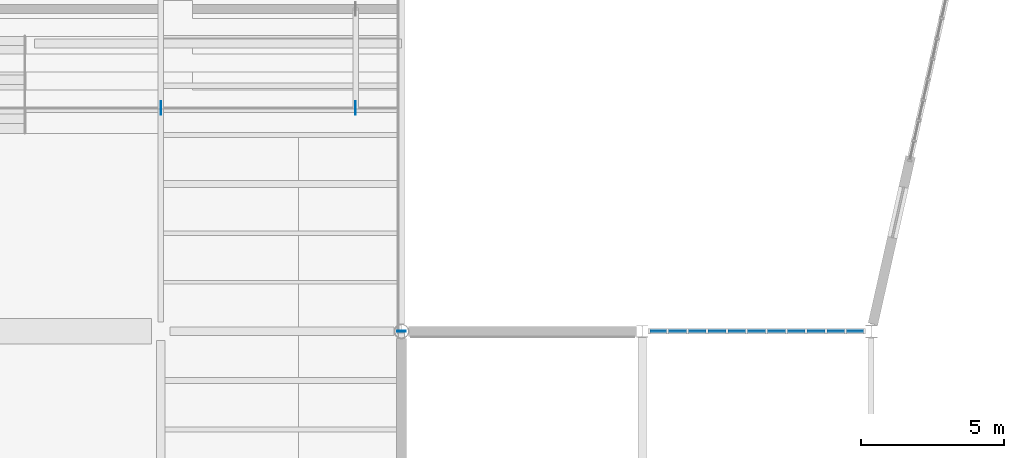
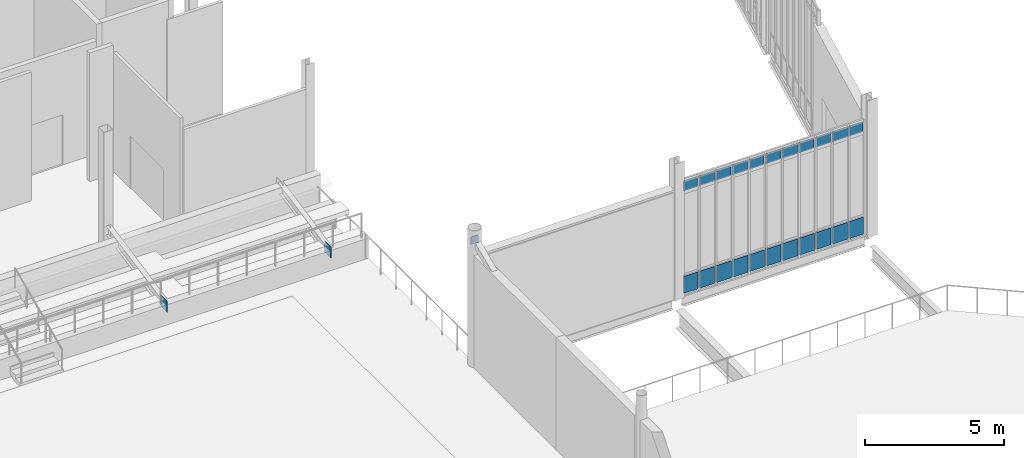
# One storey, part 91 of 135: 25 plates, 1 element without a shape of its own.
"""IFC4 building model written with IfcOpenShell, lengths in metres."""

from ifc_helpers import new_model, si_unit, direction, frame, origin, origin_2d, place, context, subcontext, project, spatial, rectangle, extrude, material, layer, layer_set, type_object, element, aggregate, save


model = new_model("IFC4")

# Units and contexts
model_context = context("Model", 3, precision=1e-05, world=origin(), true_north=direction((0.0, 1.0)))
body_context = subcontext(model_context, "Body", "Model", "MODEL_VIEW")
ifc_project = project(units=[si_unit("LENGTHUNIT", "METRE"), si_unit("AREAUNIT", "SQUARE_METRE"), si_unit("VOLUMEUNIT", "CUBIC_METRE"), si_unit("PLANEANGLEUNIT", "RADIAN"), si_unit("MASSUNIT", "GRAM", prefix="KILO")], contexts=[model_context])

# Site, building, storey
site_placement = place(None, origin())
site = spatial("IfcSite", under=ifc_project, at=site_placement, CompositionType="ELEMENT")
building_placement = place(site_placement, origin())
building = spatial("IfcBuilding", under=site, at=building_placement, Name="Larkvane Passage Sports Hall", CompositionType="ELEMENT")
storey_placement = place(building_placement, frame((0.0, 0.0, 10.800048828125)))
storey = spatial("IfcBuildingStorey", under=building, at=storey_placement, Name="L02", CompositionType="ELEMENT", Elevation=10.800048828125)

# Curtain wall, plates
ifc_material_1 = material(Name="Thermally broken aluminium and low-E glazing", Category="aluminium")
curtain_wall_type = type_object("IfcCurtainWallType", Name="CW-UNIT-VEIL", PredefinedType="USERDEFINED", material=ifc_material_1)
curtain_wall_placement = place(storey_placement, origin())
curtain_wall = element("IfcCurtainWall", 1, at=curtain_wall_placement, inside=storey, type_object=curtain_wall_type, Name="Curtain wall CW5-L02-085", ObjectType="UNITISED CURTAIN WALL", PredefinedType="USERDEFINED")
ifc_material_2 = material(Name="Mineral-wool insulated spandrel cassette")
ifc_layer_1 = layer(ifc_material_2, 0.0849609375)
ifc_layer_set_1 = layer_set([ifc_layer_1], Name="Mineral-wool insulated spandrel cassette")
plate_type_1 = type_object("IfcPlateType", Name="CWP-SPD-85", PredefinedType="CURTAIN_PANEL", material=ifc_layer_set_1)
plate_1_placement = place(storey_placement, frame((109.4326171875, 63.60009765625, 0.06982421875), z_axis=(0.0, 0.0, 1.0), x_axis=(-1.0, 0.0, 0.0)))
plate_1 = element("IfcPlate", 2, at=plate_1_placement, type_object=plate_type_1, Name="CW-02 panel 1.1", PredefinedType="CURTAIN_PANEL", context=body_context, shape_type="SweptSolid", body=[
    extrude(rectangle(XDim=0.585693359375, YDim=0.0849609375, at=origin_2d()), origin(), (0.0, 0.0, 1.0), 0.7451171875),
])
plate_2_placement = place(storey_placement, frame((108.759521484375, 63.60009765625, 0.06982421875), z_axis=(0.0, 0.0, 1.0), x_axis=(-1.0, 0.0, 0.0)))
plate_2 = element("IfcPlate", 3, at=plate_2_placement, type_object=plate_type_1, Name="CW-02 panel 2.1", PredefinedType="CURTAIN_PANEL", context=body_context, shape_type="SweptSolid", body=[
    extrude(rectangle(XDim=0.62060546875, YDim=0.0849609375, at=origin_2d()), origin(), (0.0, 0.0, 1.0), 0.7451171875),
])
plate_3_placement = place(storey_placement, frame((108.06884765625, 63.60009765625, 0.06982421875), z_axis=(0.0, 0.0, 1.0), x_axis=(-1.0, 0.0, 0.0)))
plate_3 = element("IfcPlate", 4, at=plate_3_placement, type_object=plate_type_1, Name="CW-02 panel 3.1", PredefinedType="CURTAIN_PANEL", context=body_context, shape_type="SweptSolid", body=[
    extrude(rectangle(XDim=0.62060546875, YDim=0.0849609375, at=origin_2d()), origin(), (0.0, 0.0, 1.0), 0.7451171875),
])
plate_4_placement = place(storey_placement, frame((107.378173828125, 63.60009765625, 0.06982421875), z_axis=(0.0, 0.0, 1.0), x_axis=(-1.0, 0.0, 0.0)))
plate_4 = element("IfcPlate", 5, at=plate_4_placement, type_object=plate_type_1, Name="CW-02 panel 4.1", PredefinedType="CURTAIN_PANEL", context=body_context, shape_type="SweptSolid", body=[
    extrude(rectangle(XDim=0.62060546875, YDim=0.0849609375, at=origin_2d()), origin(), (0.0, 0.0, 1.0), 0.7451171875),
])
plate_5_placement = place(storey_placement, frame((106.687744140625, 63.60009765625, 0.06982421875), z_axis=(0.0, 0.0, 1.0), x_axis=(-1.0, 0.0, 0.0)))
plate_5 = element("IfcPlate", 6, at=plate_5_placement, type_object=plate_type_1, Name="CW-02 panel 5.1", PredefinedType="CURTAIN_PANEL", context=body_context, shape_type="SweptSolid", body=[
    extrude(rectangle(XDim=0.62060546875, YDim=0.0849609375, at=origin_2d()), origin(), (0.0, 0.0, 1.0), 0.7451171875),
])
plate_6_placement = place(storey_placement, frame((105.9970703125, 63.60009765625, 0.06982421875), z_axis=(0.0, 0.0, 1.0), x_axis=(-1.0, 0.0, 0.0)))
plate_6 = element("IfcPlate", 7, at=plate_6_placement, type_object=plate_type_1, Name="CW-02 panel 6.1", PredefinedType="CURTAIN_PANEL", context=body_context, shape_type="SweptSolid", body=[
    extrude(rectangle(XDim=0.62060546875, YDim=0.0849609375, at=origin_2d()), origin(), (0.0, 0.0, 1.0), 0.7451171875),
])
plate_7_placement = place(storey_placement, frame((105.306396484375, 63.60009765625, 0.06982421875), z_axis=(0.0, 0.0, 1.0), x_axis=(-1.0, 0.0, 0.0)))
plate_7 = element("IfcPlate", 8, at=plate_7_placement, type_object=plate_type_1, Name="CW-02 panel 7.1", PredefinedType="CURTAIN_PANEL", context=body_context, shape_type="SweptSolid", body=[
    extrude(rectangle(XDim=0.62060546875, YDim=0.0849609375, at=origin_2d()), origin(), (0.0, 0.0, 1.0), 0.7451171875),
])
plate_8_placement = place(storey_placement, frame((104.61572265625, 63.60009765625, 0.06982421875), z_axis=(0.0, 0.0, 1.0), x_axis=(-1.0, 0.0, 0.0)))
plate_8 = element("IfcPlate", 9, at=plate_8_placement, type_object=plate_type_1, Name="CW-02 panel 8.1", PredefinedType="CURTAIN_PANEL", context=body_context, shape_type="SweptSolid", body=[
    extrude(rectangle(XDim=0.62060546875, YDim=0.0849609375, at=origin_2d()), origin(), (0.0, 0.0, 1.0), 0.7451171875),
])
plate_9_placement = place(storey_placement, frame((103.925048828125, 63.60009765625, 0.06982421875), z_axis=(0.0, 0.0, 1.0), x_axis=(-1.0, 0.0, 0.0)))
plate_9 = element("IfcPlate", 10, at=plate_9_placement, type_object=plate_type_1, Name="CW-02 panel 9.1", PredefinedType="CURTAIN_PANEL", context=body_context, shape_type="SweptSolid", body=[
    extrude(rectangle(XDim=0.62060546875, YDim=0.0849609375, at=origin_2d()), origin(), (0.0, 0.0, 1.0), 0.7451171875),
])
plate_10_placement = place(storey_placement, frame((103.234375, 63.60009765625, 0.06982421875), z_axis=(0.0, 0.0, 1.0), x_axis=(-1.0, 0.0, 0.0)))
plate_10 = element("IfcPlate", 11, at=plate_10_placement, type_object=plate_type_1, Name="CW-02 panel 10.1", PredefinedType="CURTAIN_PANEL", context=body_context, shape_type="SweptSolid", body=[
    extrude(rectangle(XDim=0.62060546875, YDim=0.0849609375, at=origin_2d()), origin(), (0.0, 0.0, 1.0), 0.7451171875),
])
plate_11_placement = place(storey_placement, frame((102.561279296875, 63.60009765625, 0.06982421875), z_axis=(0.0, 0.0, 1.0), x_axis=(-1.0, 0.0, 0.0)))
plate_11 = element("IfcPlate", 12, at=plate_11_placement, type_object=plate_type_1, Name="CW-02 panel 11.1", PredefinedType="CURTAIN_PANEL", context=body_context, shape_type="SweptSolid", body=[
    extrude(rectangle(XDim=0.585693359375, YDim=0.0849609375, at=origin_2d()), origin(), (0.0, 0.0, 1.0), 0.7451171875),
])
ifc_material_3 = material(Name="Laminated acoustic low-E glazing", Category="glass")
ifc_layer_2 = layer(ifc_material_3, 0.031982421875)
ifc_layer_set_2 = layer_set([ifc_layer_2], Name="Laminated acoustic low-E glazing")
plate_type_2 = type_object("IfcPlateType", Name="CWP-VIS-32", PredefinedType="CURTAIN_PANEL", material=ifc_layer_set_2)
plate_12_placement = place(storey_placement, frame((109.4326171875, 63.60009765625, 4.544921875), z_axis=(0.0, 0.0, 1.0), x_axis=(-1.0, 0.0, 0.0)))
plate_12 = element("IfcPlate", 13, at=plate_12_placement, type_object=plate_type_2, Name="CW-02 panel 1.3", PredefinedType="CURTAIN_PANEL", context=body_context, shape_type="SweptSolid", body=[
    extrude(rectangle(XDim=0.585693359375, YDim=0.031982421875, at=origin_2d()), origin(), (0.0, 0.0, 1.0), 0.445068359375),
])
plate_13_placement = place(storey_placement, frame((108.759521484375, 63.60009765625, 4.544921875), z_axis=(0.0, 0.0, 1.0), x_axis=(-1.0, 0.0, 0.0)))
plate_13 = element("IfcPlate", 14, at=plate_13_placement, type_object=plate_type_2, Name="CW-02 panel 2.3", PredefinedType="CURTAIN_PANEL", context=body_context, shape_type="SweptSolid", body=[
    extrude(rectangle(XDim=0.62060546875, YDim=0.031982421875, at=origin_2d()), origin(), (0.0, 0.0, 1.0), 0.445068359375),
])
plate_14_placement = place(storey_placement, frame((108.06884765625, 63.60009765625, 4.544921875), z_axis=(0.0, 0.0, 1.0), x_axis=(-1.0, 0.0, 0.0)))
plate_14 = element("IfcPlate", 15, at=plate_14_placement, type_object=plate_type_2, Name="CW-02 panel 3.3", PredefinedType="CURTAIN_PANEL", context=body_context, shape_type="SweptSolid", body=[
    extrude(rectangle(XDim=0.62060546875, YDim=0.031982421875, at=origin_2d()), origin(), (0.0, 0.0, 1.0), 0.445068359375),
])
plate_15_placement = place(storey_placement, frame((107.378173828125, 63.60009765625, 4.544921875), z_axis=(0.0, 0.0, 1.0), x_axis=(-1.0, 0.0, 0.0)))
plate_15 = element("IfcPlate", 16, at=plate_15_placement, type_object=plate_type_2, Name="CW-02 panel 4.3", PredefinedType="CURTAIN_PANEL", context=body_context, shape_type="SweptSolid", body=[
    extrude(rectangle(XDim=0.62060546875, YDim=0.031982421875, at=origin_2d()), origin(), (0.0, 0.0, 1.0), 0.445068359375),
])
plate_16_placement = place(storey_placement, frame((106.687744140625, 63.60009765625, 4.544921875), z_axis=(0.0, 0.0, 1.0), x_axis=(-1.0, 0.0, 0.0)))
plate_16 = element("IfcPlate", 17, at=plate_16_placement, type_object=plate_type_2, Name="CW-02 panel 5.3", PredefinedType="CURTAIN_PANEL", context=body_context, shape_type="SweptSolid", body=[
    extrude(rectangle(XDim=0.62060546875, YDim=0.031982421875, at=origin_2d()), origin(), (0.0, 0.0, 1.0), 0.445068359375),
])
plate_17_placement = place(storey_placement, frame((105.9970703125, 63.60009765625, 4.544921875), z_axis=(0.0, 0.0, 1.0), x_axis=(-1.0, 0.0, 0.0)))
plate_17 = element("IfcPlate", 18, at=plate_17_placement, type_object=plate_type_2, Name="CW-02 panel 6.3", PredefinedType="CURTAIN_PANEL", context=body_context, shape_type="SweptSolid", body=[
    extrude(rectangle(XDim=0.62060546875, YDim=0.031982421875, at=origin_2d()), origin(), (0.0, 0.0, 1.0), 0.445068359375),
])
plate_18_placement = place(storey_placement, frame((105.306396484375, 63.60009765625, 4.544921875), z_axis=(0.0, 0.0, 1.0), x_axis=(-1.0, 0.0, 0.0)))
plate_18 = element("IfcPlate", 19, at=plate_18_placement, type_object=plate_type_2, Name="CW-02 panel 7.3", PredefinedType="CURTAIN_PANEL", context=body_context, shape_type="SweptSolid", body=[
    extrude(rectangle(XDim=0.62060546875, YDim=0.031982421875, at=origin_2d()), origin(), (0.0, 0.0, 1.0), 0.445068359375),
])
plate_19_placement = place(storey_placement, frame((104.61572265625, 63.60009765625, 4.544921875), z_axis=(0.0, 0.0, 1.0), x_axis=(-1.0, 0.0, 0.0)))
plate_19 = element("IfcPlate", 20, at=plate_19_placement, type_object=plate_type_2, Name="CW-02 panel 8.3", PredefinedType="CURTAIN_PANEL", context=body_context, shape_type="SweptSolid", body=[
    extrude(rectangle(XDim=0.62060546875, YDim=0.031982421875, at=origin_2d()), origin(), (0.0, 0.0, 1.0), 0.445068359375),
])
plate_20_placement = place(storey_placement, frame((103.925048828125, 63.60009765625, 4.544921875), z_axis=(0.0, 0.0, 1.0), x_axis=(-1.0, 0.0, 0.0)))
plate_20 = element("IfcPlate", 21, at=plate_20_placement, type_object=plate_type_2, Name="CW-02 panel 9.3", PredefinedType="CURTAIN_PANEL", context=body_context, shape_type="SweptSolid", body=[
    extrude(rectangle(XDim=0.62060546875, YDim=0.031982421875, at=origin_2d()), origin(), (0.0, 0.0, 1.0), 0.445068359375),
])
plate_21_placement = place(storey_placement, frame((103.234375, 63.60009765625, 4.544921875), z_axis=(0.0, 0.0, 1.0), x_axis=(-1.0, 0.0, 0.0)))
plate_21 = element("IfcPlate", 22, at=plate_21_placement, type_object=plate_type_2, Name="CW-02 panel 10.3", PredefinedType="CURTAIN_PANEL", context=body_context, shape_type="SweptSolid", body=[
    extrude(rectangle(XDim=0.62060546875, YDim=0.031982421875, at=origin_2d()), origin(), (0.0, 0.0, 1.0), 0.445068359375),
])
plate_22_placement = place(storey_placement, frame((102.561279296875, 63.60009765625, 4.544921875), z_axis=(0.0, 0.0, 1.0), x_axis=(-1.0, 0.0, 0.0)))
plate_22 = element("IfcPlate", 23, at=plate_22_placement, type_object=plate_type_2, Name="CW-02 panel 11.3", PredefinedType="CURTAIN_PANEL", context=body_context, shape_type="SweptSolid", body=[
    extrude(rectangle(XDim=0.585693359375, YDim=0.031982421875, at=origin_2d()), origin(), (0.0, 0.0, 1.0), 0.445068359375),
])
aggregate(curtain_wall, [plate_1, plate_12, plate_2, plate_13, plate_3, plate_14, plate_4, plate_15, plate_5, plate_16, plate_6, plate_17, plate_7, plate_18, plate_8, plate_19, plate_9, plate_20, plate_10, plate_21, plate_11, plate_22])

# Plates
ifc_material_4 = material(Name="Steel S355JR", Category="steel")
ifc_layer_3 = layer(ifc_material_4, 0.011962890625)
ifc_layer_set_3 = layer_set([ifc_layer_3], Name="Steel S355JR")
plate_type_3 = type_object("IfcPlateType", Name="PLT-CAP-12", PredefinedType="SHEET", material=ifc_layer_set_3)
plate_23_placement = place(storey_placement, frame((93.60009765625, 63.60546875, 5.285888671875), z_axis=(0.0, 0.0, 1.0), x_axis=(-1.0, 0.0, 0.0)))
element("IfcPlate", 24, at=plate_23_placement, inside=storey, type_object=plate_type_3, Name="Hollow section sealed end cap plate 0577", PredefinedType="SHEET", context=body_context, shape_type="SweptSolid", body=[
    extrude(rectangle(XDim=0.31005859375, YDim=0.028076171875, at=origin_2d()), origin(), (0.0, 0.0, 1.0), 0.3330078125),
])
ifc_material_5 = material(Name="Steel S460N", Category="steel")
ifc_layer_4 = layer(ifc_material_5, 0.01611328125)
ifc_layer_set_4 = layer_set([ifc_layer_4], Name="Steel S460N")
plate_type_4 = type_object("IfcPlateType", Name="PLT-GUS-16", PredefinedType="USERDEFINED", material=ifc_layer_set_4)
for number, where, z_axis, x_axis, name in (
    (25, (85.199951171875, 71.39990234375, 0.60986328125), (0.0, 0.0, 1.0), (0.0, 1.0, 0.0), "Brace connection gusset plate 0069"),
    (26, (92.0, 71.39990234375, 0.60986328125), (0.0, 0.0, 1.0), (0.0, 1.0, 0.0), "Brace connection gusset plate 0073"),
):
    element("IfcPlate", number, at=place(storey_placement, frame(where, z_axis=z_axis, x_axis=x_axis)), inside=storey, type_object=plate_type_4, Name=name, ObjectType="GUSSET PLATE", PredefinedType="USERDEFINED", context=body_context, shape_type="SweptSolid", body=[
        extrude(rectangle(XDim=0.47998046875, YDim=0.01611328125, at=origin_2d()), origin(), (0.0, 0.0, 1.0), 0.47998046875),
    ])

save(model, "model.ifc")
